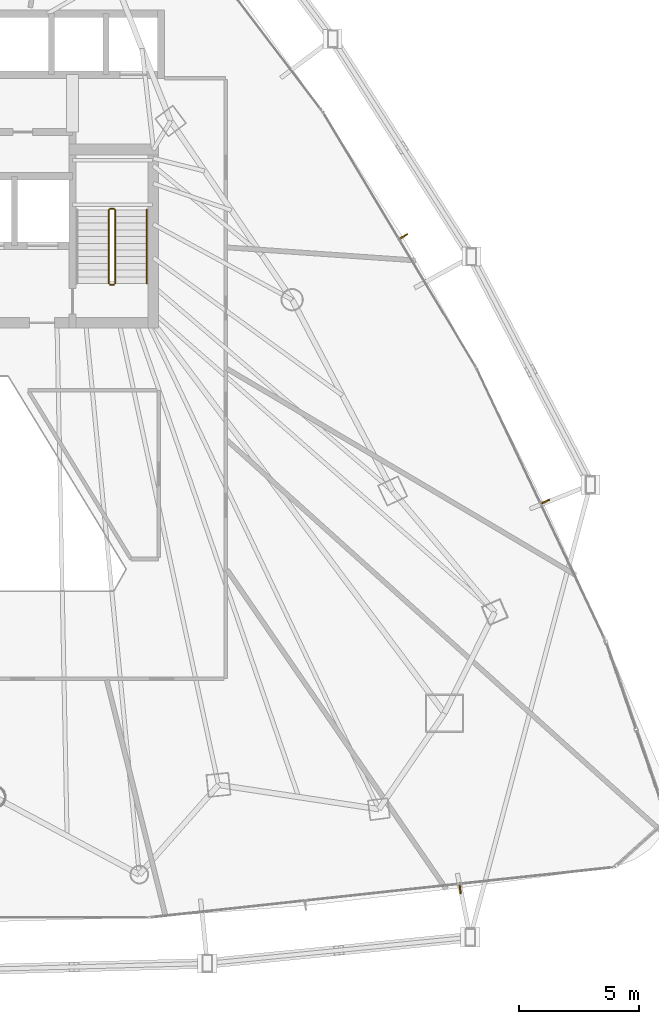
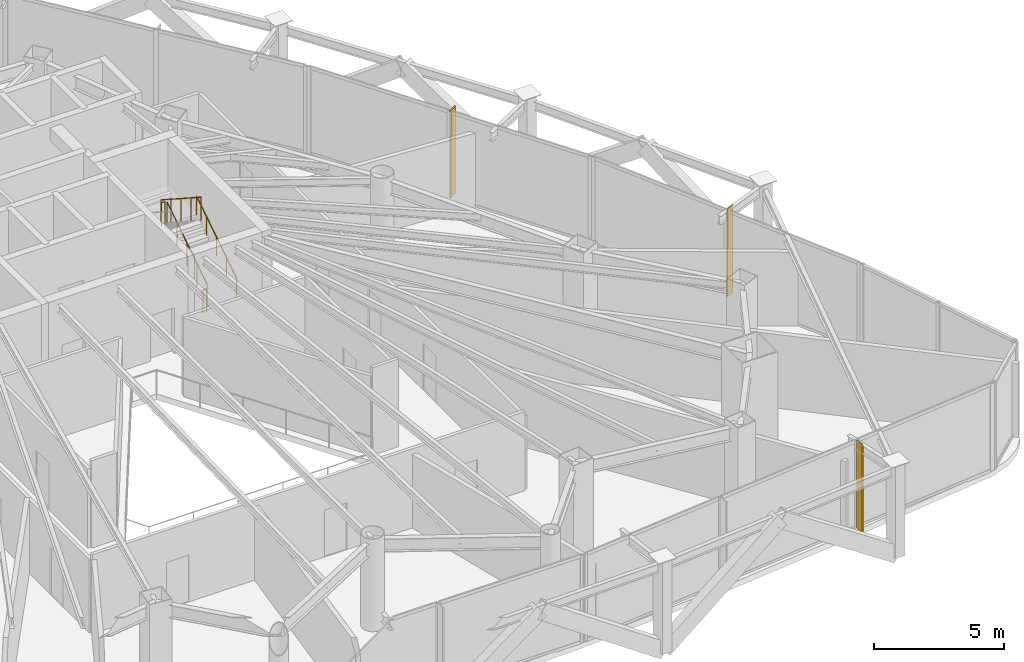
# One storey, part 32 of 33: 5 railings, 3 shading devices.
"""IFC4 building model written with IfcOpenShell, lengths in metres."""

from ifc_helpers import new_model, si_unit, direction, frame, origin, origin_2d, place, context, subcontext, project, spatial, rectangle, circle, extrude, material, layer, layer_set, type_object, element, save


model = new_model("IFC4")

# Units and contexts
model_context = context("Model", 3, precision=1e-05, world=origin(), true_north=direction((0.0, 1.0)))
body_context = subcontext(model_context, "Body", "Model", "MODEL_VIEW")
ifc_project = project(units=[si_unit("LENGTHUNIT", "METRE"), si_unit("AREAUNIT", "SQUARE_METRE"), si_unit("VOLUMEUNIT", "CUBIC_METRE"), si_unit("PLANEANGLEUNIT", "RADIAN"), si_unit("MASSUNIT", "GRAM", prefix="KILO")], contexts=[model_context])

# Site, building, storey
site_placement = place(None, origin())
site = spatial("IfcSite", under=ifc_project, at=site_placement, CompositionType="ELEMENT")
building_placement = place(site_placement, origin())
building = spatial("IfcBuilding", under=site, at=building_placement, Name="Orvanel Arch Residences", CompositionType="ELEMENT")
storey_placement = place(building_placement, frame((0.0, 0.0, 59.89990234375)))
storey = spatial("IfcBuildingStorey", under=building, at=storey_placement, Name="L16", CompositionType="ELEMENT", Elevation=59.89990234375)

# Shading devices
ifc_material_1 = material(Name="Bronze-anodised aluminium AA6063-T6", Category="aluminium")
ifc_layer = layer(ifc_material_1, 0.06005859375)
ifc_layer_set = layer_set([ifc_layer], Name="Bronze-anodised aluminium AA6063-T6")
shading_device_type = type_object("IfcShadingDeviceType", Name="FIN-BRZ-380", PredefinedType="USERDEFINED", material=ifc_layer_set)
for number, where, z_axis, x_axis, name in (
    (1, (52.455078125, 2.99609375, 0.0), (0.0, 0.0, 1.0), (0.107999355706, -0.994150963972, 0.0), "L16 Anodised Bronze Mullion FIN 02"),
    (2, (56.02392578125, 19.200927734375, 0.0), (0.0, 0.0, 1.0), (0.904082549661, 0.427357863387, 0.0), "L16 Anodised Bronze Mullion FIN 01"),
    (3, (50.093994140625, 30.287109375, 0.0), (0.0, 0.0, 1.0), (0.857167300702, 0.51503807491, 0.0), "L16 Anodised Bronze Mullion FIN 01"),
):
    element("IfcShadingDevice", number, at=place(storey_placement, frame(where, z_axis=z_axis, x_axis=x_axis)), inside=storey, type_object=shading_device_type, Name=name, ObjectType="FIN", PredefinedType="USERDEFINED", context=body_context, shape_type="SweptSolid", body=[
        extrude(rectangle(XDim=0.3798828125, YDim=0.06005859375, at=origin_2d()), origin(), (0.0, 0.0, 1.0), 4.110107421875),
    ])

# Railings
ifc_material_2 = material(Name="Structural steel AS/NZS 1163 C350L0 (Grade 350)", Category="steel")
railing_type_1 = type_object("IfcRailingType", Name="RL-STAIR-GUARD", PredefinedType="GUARDRAIL", material=ifc_material_2)
railing_1_placement = place(storey_placement, frame((38.030029296875, 28.320068359375, 0.181396484375)))
element("IfcRailing", 4, at=railing_1_placement, inside=storey, type_object=railing_type_1, Name="L16 ST-2 stair guard 1", PredefinedType="GUARDRAIL", context=body_context, shape_type="SweptSolid", body=[
    extrude(circle(Radius=0.02392578125, at=origin_2d()), frame((0.0, 0.001220703125, 1.076904296875), z_axis=(0.0, 0.839468376875, 0.543408542652), x_axis=(-1.0, 0.0, 0.0)), (0.0, 0.0, 1.0), 3.665771484375),
    extrude(circle(Radius=0.02099609375, at=origin_2d()), origin(), (0.0, 0.0, 1.0), 1.050048828125),
    extrude(circle(Radius=0.02099609375, at=origin_2d()), frame((0.0, 0.77001953125, 0.49853515625)), (0.0, 0.0, 1.0), 1.050048828125),
    extrude(circle(Radius=0.02099609375, at=origin_2d()), frame((0.0, 1.5400390625, 0.996826171875)), (0.0, 0.0, 1.0), 1.050048828125),
    extrude(circle(Radius=0.02099609375, at=origin_2d()), frame((0.0, 2.309814453125, 1.4951171875)), (0.0, 0.0, 1.0), 1.050048828125),
    extrude(circle(Radius=0.02099609375, at=origin_2d()), frame((0.0, 3.079833984375, 1.99365234375)), (0.0, 0.0, 1.0), 1.050048828125),
])
railing_2_placement = place(storey_placement, frame((37.97998046875, 31.449951171875, 2.175048828125)))
element("IfcRailing", 5, at=railing_2_placement, inside=storey, type_object=railing_type_1, Name="L16 ST-2 stair guard 2", PredefinedType="GUARDRAIL", context=body_context, shape_type="SweptSolid", body=[
    extrude(circle(Radius=0.02392578125, at=origin_2d()), frame((-0.00146484375, 0.0, 1.076171875), z_axis=(-1.0, 0.0, 0.0), x_axis=(0.0, -1.0, 0.0)), (0.0, 0.0, 1.0), 0.156982421875),
    extrude(circle(Radius=0.02099609375, at=origin_2d()), origin(), (0.0, 0.0, 1.0), 1.050048828125),
    extrude(circle(Radius=0.02099609375, at=origin_2d()), frame((-0.159912109375, 0.0, 0.0)), (0.0, 0.0, 1.0), 1.050048828125),
])
railing_3_placement = place(storey_placement, frame((37.77001953125, 31.39990234375, 2.3564453125)))
element("IfcRailing", 6, at=railing_3_placement, inside=storey, type_object=railing_type_1, Name="L16 ST-2 stair guard 3", PredefinedType="GUARDRAIL", context=body_context, shape_type="SweptSolid", body=[
    extrude(circle(Radius=0.02392578125, at=origin_2d()), frame((0.0, -0.001220703125, 1.076904296875), z_axis=(0.0, -0.839468376875, 0.543408542652), x_axis=(1.0, 0.0, 0.0)), (0.0, 0.0, 1.0), 3.665771484375),
    extrude(circle(Radius=0.02099609375, at=origin_2d()), origin(), (0.0, 0.0, 1.0), 1.050048828125),
    extrude(circle(Radius=0.02099609375, at=origin_2d()), frame((0.0, -0.77001953125, 0.49853515625)), (0.0, 0.0, 1.0), 1.050048828125),
    extrude(circle(Radius=0.02099609375, at=origin_2d()), frame((0.0, -1.5400390625, 0.996826171875)), (0.0, 0.0, 1.0), 1.050048828125),
    extrude(circle(Radius=0.02099609375, at=origin_2d()), frame((0.0, -2.309814453125, 1.4951171875)), (0.0, 0.0, 1.0), 1.050048828125),
    extrude(circle(Radius=0.02099609375, at=origin_2d()), frame((0.0, -3.079833984375, 1.99365234375)), (0.0, 0.0, 1.0), 1.050048828125),
])
railing_4_placement = place(storey_placement, frame((37.97998046875, 28.27001953125, 0.0)))
element("IfcRailing", 7, at=railing_4_placement, inside=storey, type_object=railing_type_1, Name="L16 ST-2 stair guard 4", PredefinedType="GUARDRAIL", context=body_context, shape_type="SweptSolid", body=[
    extrude(circle(Radius=0.02392578125, at=origin_2d()), frame((-0.00146484375, 0.0, 1.076171875), z_axis=(-1.0, 0.0, 0.0), x_axis=(0.0, -1.0, 0.0)), (0.0, 0.0, 1.0), 0.156982421875),
    extrude(circle(Radius=0.02099609375, at=origin_2d()), origin(), (0.0, 0.0, 1.0), 1.050048828125),
    extrude(circle(Radius=0.02099609375, at=origin_2d()), frame((-0.159912109375, 0.0, 0.0)), (0.0, 0.0, 1.0), 1.050048828125),
])
railing_type_2 = type_object("IfcRailingType", Name="RL-STAIR-HAND", PredefinedType="HANDRAIL", material=ifc_material_2)
railing_5_placement = place(storey_placement, frame((39.35009765625, 28.320068359375, 0.181396484375)))
element("IfcRailing", 8, at=railing_5_placement, inside=storey, type_object=railing_type_2, Name="L16 ST-2 stair handrail 1", PredefinedType="HANDRAIL", context=body_context, shape_type="SweptSolid", body=[
    extrude(circle(Radius=0.02392578125, at=origin_2d()), frame((0.0, 0.001220703125, 0.876708984375), z_axis=(0.0, 0.839468376875, 0.543408542652), x_axis=(-1.0, 0.0, 0.0)), (0.0, 0.0, 1.0), 3.665771484375),
    extrude(circle(Radius=0.02099609375, at=origin_2d()), origin(), (0.0, 0.0, 1.0), 0.849853515625),
    extrude(circle(Radius=0.02099609375, at=origin_2d()), frame((0.0, 0.77001953125, 0.49853515625)), (0.0, 0.0, 1.0), 0.849853515625),
    extrude(circle(Radius=0.02099609375, at=origin_2d()), frame((0.0, 1.5400390625, 0.996826171875)), (0.0, 0.0, 1.0), 0.849853515625),
    extrude(circle(Radius=0.02099609375, at=origin_2d()), frame((0.0, 2.309814453125, 1.4951171875)), (0.0, 0.0, 1.0), 0.849853515625),
    extrude(circle(Radius=0.02099609375, at=origin_2d()), frame((0.0, 3.079833984375, 1.99365234375)), (0.0, 0.0, 1.0), 0.849853515625),
])

save(model, "model.ifc")
